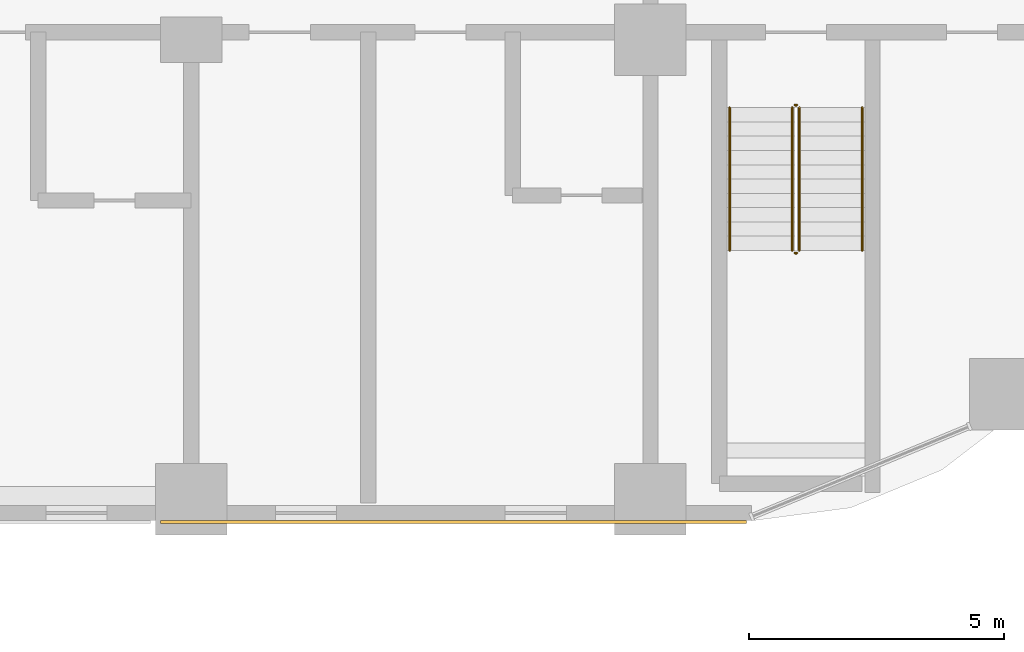
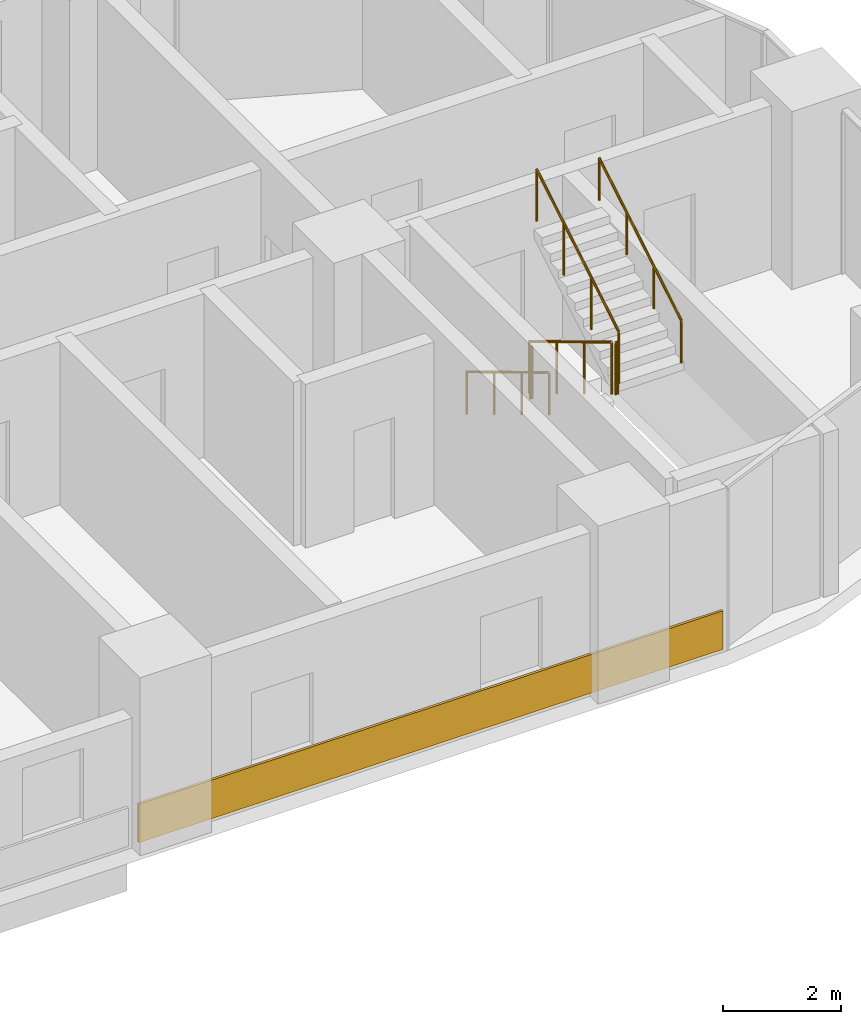
# One storey, part 27 of 30: 6 railings, 1 covering.
"""IFC4 building model written with IfcOpenShell, lengths in metres."""

from ifc_helpers import new_model, si_unit, direction, frame, origin, origin_2d, place, context, subcontext, project, spatial, rectangle, circle, extrude, material, layer, layer_set, type_object, element, save


model = new_model("IFC4")

# Units and contexts
model_context = context("Model", 3, precision=1e-05, world=origin(), true_north=direction((0.0, 1.0)))
body_context = subcontext(model_context, "Body", "Model", "MODEL_VIEW")
ifc_project = project(units=[si_unit("LENGTHUNIT", "METRE"), si_unit("AREAUNIT", "SQUARE_METRE"), si_unit("VOLUMEUNIT", "CUBIC_METRE"), si_unit("PLANEANGLEUNIT", "RADIAN"), si_unit("MASSUNIT", "GRAM", prefix="KILO")], contexts=[model_context])

# Site, building, storey
site_placement = place(None, origin())
site = spatial("IfcSite", under=ifc_project, at=site_placement, CompositionType="ELEMENT")
building_placement = place(site_placement, origin())
building = spatial("IfcBuilding", under=site, at=building_placement, Name="Ogive Portal Towers", CompositionType="ELEMENT")
storey_placement = place(building_placement, frame((0.0, 0.0, 37.199951171875)))
storey = spatial("IfcBuildingStorey", under=building, at=storey_placement, Name="L07", CompositionType="ELEMENT", Elevation=37.199951171875)

# Railings
ifc_material_1 = material(Name="Stainless steel balustrade", Category="steel")
railing_type_1 = type_object("IfcRailingType", Name="INT-GUARD", PredefinedType="GUARDRAIL", material=ifc_material_1)
railing_1_placement = place(storey_placement, frame((88.280029296875, 29.169921875, 0.168212890625)))
element("IfcRailing", 1, at=railing_1_placement, inside=storey, type_object=railing_type_1, Name="L07 ST-A4 stair guard 1", PredefinedType="GUARDRAIL", context=body_context, shape_type="SweptSolid", body=[
    extrude(circle(Radius=0.02392578125, at=origin_2d()), frame((0.0, 0.0, 1.076171875), z_axis=(0.0, -0.857222391501, 0.514946377315), x_axis=(1.0, 0.0, 0.0)), (0.0, 0.0, 1.0), 3.26611328125),
    extrude(circle(Radius=0.02099609375, at=origin_2d()), origin(), (0.0, 0.0, 1.0), 1.052001953125),
    extrude(circle(Radius=0.02099609375, at=origin_2d()), frame((0.0, -0.933349609375, 0.560546875)), (0.0, 0.0, 1.0), 1.052001953125),
    extrude(circle(Radius=0.02099609375, at=origin_2d()), frame((0.0, -1.866455078125, 1.121337890625)), (0.0, 0.0, 1.0), 1.052001953125),
    extrude(circle(Radius=0.02099609375, at=origin_2d()), frame((0.0, -2.7998046875, 1.681884765625)), (0.0, 0.0, 1.0), 1.052001953125),
])
railing_2_placement = place(storey_placement, frame((88.330078125, 26.320068359375, 1.85009765625)))
element("IfcRailing", 2, at=railing_2_placement, inside=storey, type_object=railing_type_1, Name="L07 ST-A4 stair guard 2", PredefinedType="GUARDRAIL", context=body_context, shape_type="SweptSolid", body=[
    extrude(circle(Radius=0.02392578125, at=origin_2d()), frame((0.0, 0.0, 1.076171875), z_axis=(1.0, 0.0, 0.0), x_axis=(0.0, 1.0, 0.0)), (0.0, 0.0, 1.0), 0.0400390625),
    extrude(circle(Radius=0.02099609375, at=origin_2d()), origin(), (0.0, 0.0, 1.0), 1.052001953125),
    extrude(circle(Radius=0.02099609375, at=origin_2d()), frame((0.0400390625, 0.0, 0.0)), (0.0, 0.0, 1.0), 1.052001953125),
])
railing_3_placement = place(storey_placement, frame((88.419921875, 26.3701171875, 2.018310546875)))
element("IfcRailing", 3, at=railing_3_placement, inside=storey, type_object=railing_type_1, Name="L07 ST-A4 stair guard 3", PredefinedType="GUARDRAIL", context=body_context, shape_type="SweptSolid", body=[
    extrude(circle(Radius=0.02392578125, at=origin_2d()), frame((0.0, 0.0, 1.076171875), z_axis=(0.0, 0.857255387014, 0.514891446264), x_axis=(-1.0, 0.0, 0.0)), (0.0, 0.0, 1.0), 3.26611328125),
    extrude(circle(Radius=0.02099609375, at=origin_2d()), origin(), (0.0, 0.0, 1.0), 1.052001953125),
    extrude(circle(Radius=0.02099609375, at=origin_2d()), frame((0.0, 0.933349609375, 0.560546875)), (0.0, 0.0, 1.0), 1.052001953125),
    extrude(circle(Radius=0.02099609375, at=origin_2d()), frame((0.0, 1.866455078125, 1.12109375)), (0.0, 0.0, 1.0), 1.052001953125),
    extrude(circle(Radius=0.02099609375, at=origin_2d()), frame((0.0, 2.7998046875, 1.681640625)), (0.0, 0.0, 1.0), 1.052001953125),
])
railing_4_placement = place(storey_placement, frame((88.330078125, 29.219970703125, 0.0)))
element("IfcRailing", 4, at=railing_4_placement, inside=storey, type_object=railing_type_1, Name="L07 ST-A4 stair guard 4", PredefinedType="GUARDRAIL", context=body_context, shape_type="SweptSolid", body=[
    extrude(circle(Radius=0.02392578125, at=origin_2d()), frame((0.0, 0.0, 1.076171875), z_axis=(1.0, 0.0, 0.0), x_axis=(0.0, 1.0, 0.0)), (0.0, 0.0, 1.0), 0.0400390625),
    extrude(circle(Radius=0.02099609375, at=origin_2d()), origin(), (0.0, 0.0, 1.0), 1.052001953125),
    extrude(circle(Radius=0.02099609375, at=origin_2d()), frame((0.0400390625, 0.0, 0.0)), (0.0, 0.0, 1.0), 1.052001953125),
])
ifc_material_2 = material(Name="Stainless steel handrail", Category="steel")
railing_type_2 = type_object("IfcRailingType", Name="INT-HANDRAIL", PredefinedType="HANDRAIL", material=ifc_material_2)
railing_5_placement = place(storey_placement, frame((87.050048828125, 29.169921875, 0.168212890625)))
element("IfcRailing", 5, at=railing_5_placement, inside=storey, type_object=railing_type_2, Name="L07 ST-A4 stair handrail 1", PredefinedType="HANDRAIL", context=body_context, shape_type="SweptSolid", body=[
    extrude(circle(Radius=0.02392578125, at=origin_2d()), frame((0.0, 0.0, 0.8759765625), z_axis=(0.0, -0.857222391501, 0.514946377315), x_axis=(1.0, 0.0, 0.0)), (0.0, 0.0, 1.0), 3.26611328125),
    extrude(circle(Radius=0.02099609375, at=origin_2d()), origin(), (0.0, 0.0, 1.0), 0.851806640625),
    extrude(circle(Radius=0.02099609375, at=origin_2d()), frame((0.0, -0.933349609375, 0.560546875)), (0.0, 0.0, 1.0), 0.851806640625),
    extrude(circle(Radius=0.02099609375, at=origin_2d()), frame((0.0, -1.866455078125, 1.121337890625)), (0.0, 0.0, 1.0), 0.851806640625),
    extrude(circle(Radius=0.02099609375, at=origin_2d()), frame((0.0, -2.7998046875, 1.681884765625)), (0.0, 0.0, 1.0), 0.851806640625),
])
railing_6_placement = place(storey_placement, frame((89.64990234375, 26.3701171875, 2.018310546875)))
element("IfcRailing", 6, at=railing_6_placement, inside=storey, type_object=railing_type_2, Name="L07 ST-A4 stair handrail 2", PredefinedType="HANDRAIL", context=body_context, shape_type="SweptSolid", body=[
    extrude(circle(Radius=0.02392578125, at=origin_2d()), frame((0.0, 0.0, 0.8759765625), z_axis=(0.0, 0.857255387014, 0.514891446264), x_axis=(-1.0, 0.0, 0.0)), (0.0, 0.0, 1.0), 3.26611328125),
    extrude(circle(Radius=0.02099609375, at=origin_2d()), origin(), (0.0, 0.0, 1.0), 0.851806640625),
    extrude(circle(Radius=0.02099609375, at=origin_2d()), frame((0.0, 0.933349609375, 0.560546875)), (0.0, 0.0, 1.0), 0.851806640625),
    extrude(circle(Radius=0.02099609375, at=origin_2d()), frame((0.0, 1.866455078125, 1.12109375)), (0.0, 0.0, 1.0), 0.851806640625),
    extrude(circle(Radius=0.02099609375, at=origin_2d()), frame((0.0, 2.7998046875, 1.681640625)), (0.0, 0.0, 1.0), 0.851806640625),
])

# Covering
ifc_material_3 = material(Name="Limestone cladding on lightweight block wall", Category="masonry")
ifc_layer = layer(ifc_material_3, 0.050048828125)
ifc_layer_set = layer_set([ifc_layer], Name="SCREEN PERFORATED STONE")
covering_type = type_object("IfcCoveringType", Name="SCREEN PERFORATED STONE", PredefinedType="CLADDING", material=ifc_layer_set)
covering_placement = place(storey_placement, frame((81.64208984375, 21.050048828125, 0.10009765625), z_axis=(0.0, 0.0, 1.0), x_axis=(1.0, 0.0, 0.0)))
element("IfcCovering", 7, at=covering_placement, inside=storey, type_object=covering_type, Name="Tracery screen", PredefinedType="CLADDING", context=body_context, shape_type="SweptSolid", body=[
    extrude(rectangle(XDim=11.484130859375, YDim=0.050048828125, at=origin_2d()), origin(), (0.0, 0.0, 1.0), 0.800048828125),
])

save(model, "model.ifc")
